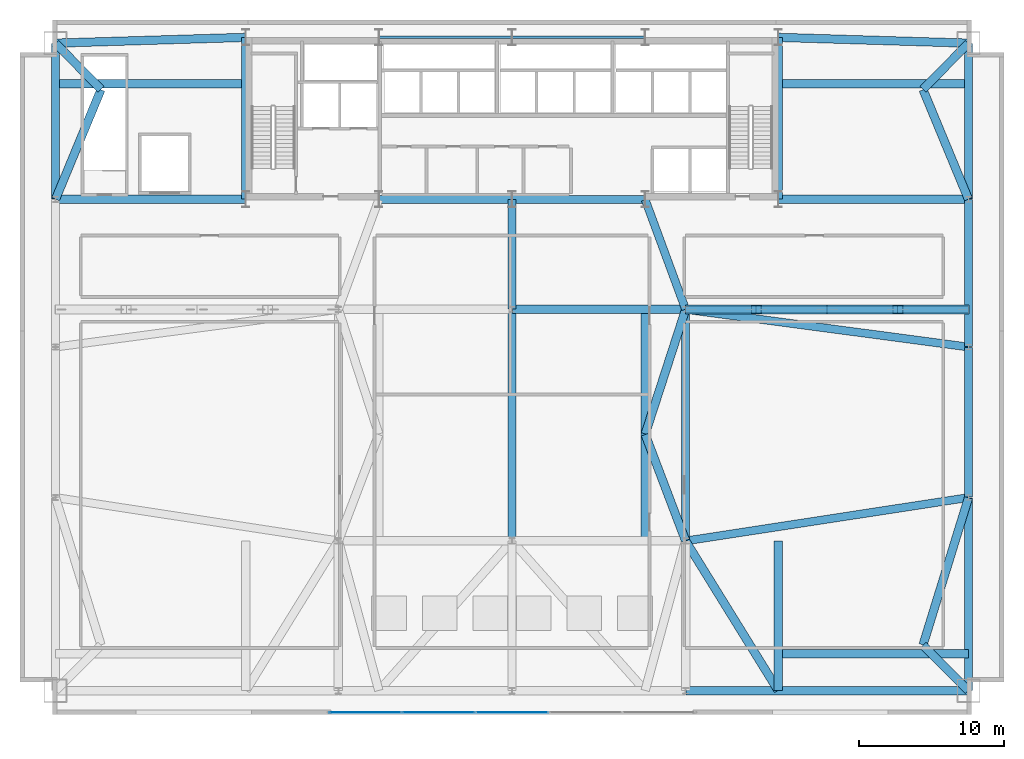
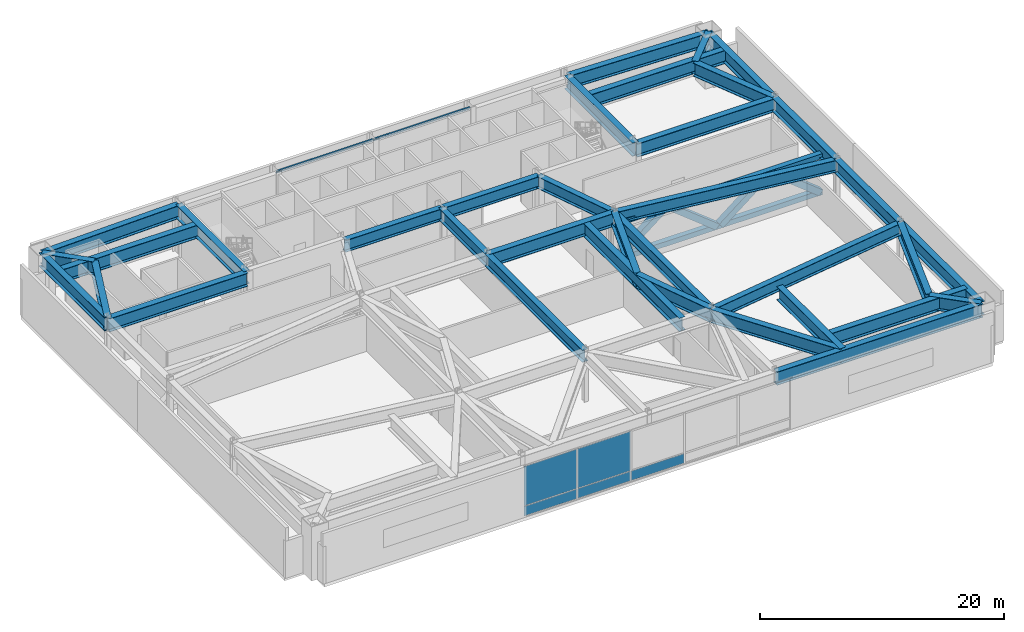
# One storey, part 8 of 16: 37 beams, 6 members, 5 plates, 1 element without a shape of its own.
"""IFC4 building model written with IfcOpenShell, lengths in metres."""

from ifc_helpers import new_model, si_unit, direction, frame, origin, origin_2d, place, context, subcontext, project, spatial, rectangle, hollow_rectangle, i_section, extrude, source, transform, mapped, material, layer, layer_set, material_profile, profile_set, type_object, type_shapes, element, aggregate, save


model = new_model("IFC4")

# Units and contexts
model_context = context("Model", 3, precision=1e-05, world=origin(), true_north=direction((0.0, 1.0)))
body_context = subcontext(model_context, "Body", "Model", "MODEL_VIEW")
ifc_project = project(units=[si_unit("LENGTHUNIT", "METRE"), si_unit("AREAUNIT", "SQUARE_METRE"), si_unit("VOLUMEUNIT", "CUBIC_METRE"), si_unit("PLANEANGLEUNIT", "RADIAN"), si_unit("MASSUNIT", "GRAM", prefix="KILO")], contexts=[model_context])

# Site, building, storey
site_placement = place(None, origin())
site = spatial("IfcSite", under=ifc_project, at=site_placement, CompositionType="ELEMENT")
building_placement = place(site_placement, origin())
building = spatial("IfcBuilding", under=site, at=building_placement, Name="Varnel Quay Broadcast Tower", CompositionType="ELEMENT")
storey_placement = place(building_placement, frame((0.0, 0.0, 22.199951171875)))
storey = spatial("IfcBuildingStorey", under=building, at=storey_placement, Name="L04", CompositionType="ELEMENT", Elevation=22.199951171875)

# Beams
ifc_material_1 = material(Name="Structural Steel CSA G40.21 350W", Category="steel")
ifc_material_profile_1 = material_profile(ifc_material_1, i_section(OverallWidth=0.1650390625, OverallDepth=0.200927734375, WebThickness=0.006103515625, FlangeThickness=0.01025390625, FilletRadius=0.010009765625, at=origin_2d()), Name="W200X36")
ifc_profile_set_1 = profile_set([ifc_material_profile_1], Name="Structural Steel CSA G40.21 350W")
beam_type_1 = type_object("IfcBeamType", Name="Beam_W200X36", PredefinedType="LINTEL", material=ifc_profile_set_1)
shared_shape_1 = source(origin(), body_context, "Body", "SweptSolid", [
    extrude(i_section(OverallWidth=0.1650390625, OverallDepth=0.200927734375, WebThickness=0.006103515625, FlangeThickness=0.01025390625, FilletRadius=0.010009765625, at=origin_2d()), origin(), (0.0, 0.0, 1.0), 9.159912109375),
])
type_shapes(beam_type_1, [shared_shape_1])
for number, where, z_axis, x_axis, name in (
    (1, (24.820068359375, 46.800048828125, 4.9794921875), (1.0, 0.0, 0.0), (0.0, 1.0, 0.0), "L04 Core North Portal Lintel W"),
    (2, (34.02001953125, 46.800048828125, 4.9794921875), (1.0, 0.0, 0.0), (0.0, 1.0, 0.0), "L04 Core North Portal Lintel E"),
):
    element("IfcBeam", number, at=place(storey_placement, frame(where, z_axis=z_axis, x_axis=x_axis)), inside=storey, type_object=beam_type_1, Name=name, PredefinedType="LINTEL", context=body_context, shape_type="MappedRepresentation", body=[
        mapped(shared_shape_1, transform((0.0, 0.0, 0.0), x_axis=(1.0, 0.0, 0.0), y_axis=(0.0, 1.0, 0.0), z_axis=(0.0, 0.0, 1.0), scale=1.0)),
    ])
ifc_material_2 = material(Name="Structural Steel CSA G40.21 350WT", Category="steel")
ifc_material_profile_2 = material_profile(ifc_material_2, i_section(OverallWidth=0.580078125, OverallDepth=1.330078125, WebThickness=0.02197265625, FlangeThickness=0.0380859375, FilletRadius=0.02001953125, at=origin_2d()), Name="WWF1330X535")
ifc_profile_set_2 = profile_set([ifc_material_profile_2], Name="Structural Steel CSA G40.21 350WT")
beam_type_2 = type_object("IfcBeamType", Name="Girder_WWF1330X535", PredefinedType="BEAM", material=ifc_profile_set_2)
shared_shape_2 = source(origin(), body_context, "Body", "SweptSolid", [
    extrude(i_section(OverallWidth=0.580078125, OverallDepth=1.330078125, WebThickness=0.02197265625, FlangeThickness=0.0380859375, FilletRadius=0.02001953125, at=origin_2d()), origin(), (0.0, 0.0, 1.0), 19.510009765625),
])
beam_1_placement = place(storey_placement, frame((46.02001953125, 1.64990234375, 4.4150390625), z_axis=(1.0, 0.0, 0.0), x_axis=(0.0, 1.0, 0.0)))
element("IfcBeam", 3, at=beam_1_placement, inside=storey, type_object=beam_type_2, Name="L04 Primary Transfer Girder TRG-S4", PredefinedType="BEAM", context=body_context, shape_type="MappedRepresentation", body=[
    mapped(shared_shape_2, transform((0.0, 0.0, 0.0), x_axis=(1.0, 0.0, 0.0), y_axis=(0.0, 1.0, 0.0), z_axis=(0.0, 0.0, 1.0), scale=1.0)),
])
shared_shape_3 = source(origin(), body_context, "Body", "SweptSolid", [
    extrude(i_section(OverallWidth=0.580078125, OverallDepth=1.330078125, WebThickness=0.02197265625, FlangeThickness=0.0380859375, FilletRadius=0.02001953125, at=origin_2d()), origin(), (0.0, 0.0, 1.0), 11.9599609375),
])
beam_2_placement = place(storey_placement, frame((34.02001953125, 28.0, 4.4150390625), z_axis=(1.0, 0.0, 0.0), x_axis=(0.0, 1.0, 0.0)))
element("IfcBeam", 4, at=beam_2_placement, inside=storey, type_object=beam_type_2, Name="L04 Primary Transfer Girder TRG-M4", PredefinedType="BEAM", context=body_context, shape_type="MappedRepresentation", body=[
    mapped(shared_shape_3, transform((0.0, 0.0, 0.0), x_axis=(1.0, 0.0, 0.0), y_axis=(0.0, 1.0, 0.0), z_axis=(0.0, 0.0, 1.0), scale=1.0)),
])
shared_shape_4 = source(origin(), body_context, "Body", "SweptSolid", [
    extrude(i_section(OverallWidth=0.580078125, OverallDepth=1.330078125, WebThickness=0.02197265625, FlangeThickness=0.0380859375, FilletRadius=0.02001953125, at=origin_2d()), origin(), (0.0, 0.0, 1.0), 13.31005859375),
])
beam_3_placement = place(storey_placement, frame((65.550048828125, 1.669921875, 4.4150390625), z_axis=(0.0, 1.0, 0.0), x_axis=(-1.0, 0.0, 0.0)))
element("IfcBeam", 5, at=beam_3_placement, inside=storey, type_object=beam_type_2, Name="L04 Primary Transfer Girder TRG-E1", PredefinedType="BEAM", context=body_context, shape_type="MappedRepresentation", body=[
    mapped(shared_shape_4, transform((0.0, 0.0, 0.0), x_axis=(1.0, 0.0, 0.0), y_axis=(0.0, 1.0, 0.0), z_axis=(0.0, 0.0, 1.0), scale=1.0)),
])
shared_shape_5 = source(origin(), body_context, "Body", "SweptSolid", [
    extrude(i_section(OverallWidth=0.580078125, OverallDepth=1.330078125, WebThickness=0.02197265625, FlangeThickness=0.0380859375, FilletRadius=0.02001953125, at=origin_2d()), origin(), (0.0, 0.0, 1.0), 10.35986328125),
])
beam_4_placement = place(storey_placement, frame((65.550048828125, 15.02001953125, 4.4150390625), z_axis=(0.0, 1.0, 0.0), x_axis=(-1.0, 0.0, 0.0)))
element("IfcBeam", 6, at=beam_4_placement, inside=storey, type_object=beam_type_2, Name="L04 Primary Transfer Girder TRG-E2", PredefinedType="BEAM", context=body_context, shape_type="MappedRepresentation", body=[
    mapped(shared_shape_5, transform((0.0, 0.0, 0.0), x_axis=(1.0, 0.0, 0.0), y_axis=(0.0, 1.0, 0.0), z_axis=(0.0, 0.0, 1.0), scale=1.0)),
])
shared_shape_6 = source(origin(), body_context, "Body", "SweptSolid", [
    extrude(i_section(OverallWidth=0.580078125, OverallDepth=1.330078125, WebThickness=0.02197265625, FlangeThickness=0.0380859375, FilletRadius=0.02001953125, at=origin_2d()), origin(), (0.0, 0.0, 1.0), 10.16015625),
])
beam_5_placement = place(storey_placement, frame((65.550048828125, 25.419921875, 4.4150390625), z_axis=(0.0, 1.0, 0.0), x_axis=(-1.0, 0.0, 0.0)))
element("IfcBeam", 7, at=beam_5_placement, inside=storey, type_object=beam_type_2, Name="L04 Primary Transfer Girder TRG-E3", PredefinedType="BEAM", context=body_context, shape_type="MappedRepresentation", body=[
    mapped(shared_shape_6, transform((0.0, 0.0, 0.0), x_axis=(1.0, 0.0, 0.0), y_axis=(0.0, 1.0, 0.0), z_axis=(0.0, 0.0, 1.0), scale=1.0)),
])
shared_shape_7 = source(origin(), body_context, "Body", "SweptSolid", [
    extrude(i_section(OverallWidth=0.580078125, OverallDepth=1.330078125, WebThickness=0.02197265625, FlangeThickness=0.0380859375, FilletRadius=0.02001953125, at=origin_2d()), origin(), (0.0, 0.0, 1.0), 10.759765625),
])
for number, where, z_axis, x_axis, name in (
    (8, (2.449951171875, 35.6201171875, 4.4150390625), (0.0, 1.0, 0.0), (-1.0, 0.0, 0.0), "L04 Primary Transfer Girder TRG-W4"),
    (9, (65.550048828125, 35.6201171875, 4.4150390625), (0.0, 1.0, 0.0), (-1.0, 0.0, 0.0), "L04 Primary Transfer Girder TRG-E4"),
):
    element("IfcBeam", number, at=place(storey_placement, frame(where, z_axis=z_axis, x_axis=x_axis)), inside=storey, type_object=beam_type_2, Name=name, PredefinedType="BEAM", context=body_context, shape_type="MappedRepresentation", body=[
        mapped(shared_shape_7, transform((0.0, 0.0, 0.0), x_axis=(1.0, 0.0, 0.0), y_axis=(0.0, 1.0, 0.0), z_axis=(0.0, 0.0, 1.0), scale=1.0)),
    ])
shared_shape_8 = source(origin(), body_context, "Body", "SweptSolid", [
    extrude(i_section(OverallWidth=0.580078125, OverallDepth=1.330078125, WebThickness=0.02197265625, FlangeThickness=0.0380859375, FilletRadius=0.02001953125, at=origin_2d()), origin(), (0.0, 0.0, 1.0), 13.1162109375),
])
for number, where, z_axis, x_axis, name in (
    (10, (2.469970703125, 46.400634765625, 4.4150390625), (0.999537928818, 0.030396198025, 0.0), (-0.030396198025, 0.999537928818, 0.0), "L04 Primary Transfer Girder TRG-N1"),
    (11, (52.419921875, 46.79931640625, 4.4150390625), (0.999537928818, -0.030396198025, 0.0), (0.030396198025, 0.999537928818, 0.0), "L04 Primary Transfer Girder TRG-N2"),
):
    element("IfcBeam", number, at=place(storey_placement, frame(where, z_axis=z_axis, x_axis=x_axis)), inside=storey, type_object=beam_type_2, Name=name, PredefinedType="BEAM", context=body_context, shape_type="MappedRepresentation", body=[
        mapped(shared_shape_8, transform((0.0, 0.0, 0.0), x_axis=(1.0, 0.0, 0.0), y_axis=(0.0, 1.0, 0.0), z_axis=(0.0, 0.0, 1.0), scale=1.0)),
    ])
shared_shape_9 = source(origin(), body_context, "Body", "SweptSolid", [
    extrude(i_section(OverallWidth=0.580078125, OverallDepth=1.330078125, WebThickness=0.02197265625, FlangeThickness=0.0380859375, FilletRadius=0.02001953125, at=origin_2d()), origin(), (0.0, 0.0, 1.0), 13.110107421875),
])
for number, where, z_axis, x_axis, name in (
    (12, (2.469970703125, 35.60009765625, 4.4150390625), (1.0, 0.0, 0.0), (0.0, 1.0, 0.0), "L04 Primary Transfer Girder TRG-C1"),
    (13, (52.419921875, 35.60009765625, 4.4150390625), (1.0, 0.0, 0.0), (0.0, 1.0, 0.0), "L04 Primary Transfer Girder TRG-C2"),
    (14, (52.419921875, 4.199951171875, 4.4150390625), (1.0, 0.0, 0.0), (0.0, 1.0, 0.0), "L04 Transfer Girder MC-SE"),
    (15, (2.469970703125, 43.60009765625, 4.4150390625), (1.0, 0.0, 0.0), (0.0, 1.0, 0.0), "L04 Transfer Girder MC-NW"),
    (16, (52.419921875, 43.60009765625, 4.4150390625), (1.0, 0.0, 0.0), (0.0, 1.0, 0.0), "L04 Transfer Girder MC-NE"),
):
    element("IfcBeam", number, at=place(storey_placement, frame(where, z_axis=z_axis, x_axis=x_axis)), inside=storey, type_object=beam_type_2, Name=name, PredefinedType="BEAM", context=body_context, shape_type="MappedRepresentation", body=[
        mapped(shared_shape_9, transform((0.0, 0.0, 0.0), x_axis=(1.0, 0.0, 0.0), y_axis=(0.0, 1.0, 0.0), z_axis=(0.0, 0.0, 1.0), scale=1.0)),
    ])
shared_shape_10 = source(origin(), body_context, "Body", "SweptSolid", [
    extrude(i_section(OverallWidth=0.580078125, OverallDepth=1.330078125, WebThickness=0.02197265625, FlangeThickness=0.0380859375, FilletRadius=0.02001953125, at=origin_2d()), origin(), (0.0, 0.0, 1.0), 10.31005859375),
])
beam_6_placement = place(storey_placement, frame((52.39990234375, 1.669921875, 4.4150390625), z_axis=(0.0, 1.0, 0.0), x_axis=(-1.0, 0.0, 0.0)))
element("IfcBeam", 17, at=beam_6_placement, inside=storey, type_object=beam_type_2, Name="L04 Transfer Header X52-S", PredefinedType="BEAM", context=body_context, shape_type="MappedRepresentation", body=[
    mapped(shared_shape_10, transform((0.0, 0.0, 0.0), x_axis=(1.0, 0.0, 0.0), y_axis=(0.0, 1.0, 0.0), z_axis=(0.0, 0.0, 1.0), scale=1.0)),
])
shared_shape_11 = source(origin(), body_context, "Body", "SweptSolid", [
    extrude(i_section(OverallWidth=0.580078125, OverallDepth=1.330078125, WebThickness=0.02197265625, FlangeThickness=0.0380859375, FilletRadius=0.02001953125, at=origin_2d()), origin(), (0.0, 0.0, 1.0), 11.159912109375),
])
for number, where, z_axis, x_axis, name in (
    (18, (15.60009765625, 35.6201171875, 4.4150390625), (0.0, 1.0, 0.0), (-1.0, 0.0, 0.0), "L04 Core End Girder W"),
    (19, (52.39990234375, 35.6201171875, 4.4150390625), (0.0, 1.0, 0.0), (-1.0, 0.0, 0.0), "L04 Core End Girder E"),
):
    element("IfcBeam", number, at=place(storey_placement, frame(where, z_axis=z_axis, x_axis=x_axis)), inside=storey, type_object=beam_type_2, Name=name, PredefinedType="BEAM", context=body_context, shape_type="MappedRepresentation", body=[
        mapped(shared_shape_11, transform((0.0, 0.0, 0.0), x_axis=(1.0, 0.0, 0.0), y_axis=(0.0, 1.0, 0.0), z_axis=(0.0, 0.0, 1.0), scale=1.0)),
    ])
shared_shape_12 = source(origin(), body_context, "Body", "SweptSolid", [
    extrude(i_section(OverallWidth=0.580078125, OverallDepth=1.330078125, WebThickness=0.02197265625, FlangeThickness=0.0380859375, FilletRadius=0.02001953125, at=origin_2d()), origin(), (0.0, 0.0, 1.0), 15.9599609375),
])
beam_7_placement = place(storey_placement, frame((43.199951171875, 12.02001953125, 4.4150390625), z_axis=(0.0, 1.0, 0.0), x_axis=(-1.0, 0.0, 0.0)))
element("IfcBeam", 20, at=beam_7_placement, inside=storey, type_object=beam_type_2, Name="L04 Transfer Girder IC-02", PredefinedType="BEAM", context=body_context, shape_type="MappedRepresentation", body=[
    mapped(shared_shape_12, transform((0.0, 0.0, 0.0), x_axis=(1.0, 0.0, 0.0), y_axis=(0.0, 1.0, 0.0), z_axis=(0.0, 0.0, 1.0), scale=1.0)),
])
shared_shape_13 = source(origin(), body_context, "Body", "SweptSolid", [
    extrude(i_section(OverallWidth=0.580078125, OverallDepth=1.330078125, WebThickness=0.02197265625, FlangeThickness=0.0380859375, FilletRadius=0.02001953125, at=origin_2d()), origin(), (0.0, 0.0, 1.0), 4.4150390625),
])
beam_8_placement = place(storey_placement, frame((65.535888671875, 1.6640625, 4.4150390625), z_axis=(-0.707106781187, 0.707106781187, 0.0), x_axis=(-0.707106781187, -0.707106781187, 0.0)))
element("IfcBeam", 21, at=beam_8_placement, inside=storey, type_object=beam_type_2, Name="L04 Nodal Transfer Tie MC-SE-MC-SE", PredefinedType="BEAM", context=body_context, shape_type="MappedRepresentation", body=[
    mapped(shared_shape_13, transform((0.0, 0.0, 0.0), x_axis=(1.0, 0.0, 0.0), y_axis=(0.0, 1.0, 0.0), z_axis=(0.0, 0.0, 1.0), scale=1.0)),
])
shared_shape_14 = source(origin(), body_context, "Body", "SweptSolid", [
    extrude(i_section(OverallWidth=0.580078125, OverallDepth=1.330078125, WebThickness=0.02197265625, FlangeThickness=0.0380859375, FilletRadius=0.02001953125, at=origin_2d()), origin(), (0.0, 0.0, 1.0), 10.635498046875),
])
beam_9_placement = place(storey_placement, frame((65.544189453125, 14.98095703125, 4.4150390625), z_axis=(-0.295069676324, -0.955475738108, 0.0), x_axis=(0.955475738108, -0.295069676324, 0.0)))
element("IfcBeam", 22, at=beam_9_placement, inside=storey, type_object=beam_type_2, Name="L04 Nodal Transfer Tie MC-SE-PC-12", PredefinedType="BEAM", context=body_context, shape_type="MappedRepresentation", body=[
    mapped(shared_shape_14, transform((0.0, 0.0, 0.0), x_axis=(1.0, 0.0, 0.0), y_axis=(0.0, 1.0, 0.0), z_axis=(0.0, 0.0, 1.0), scale=1.0)),
])
shared_shape_15 = source(origin(), body_context, "Body", "SweptSolid", [
    extrude(i_section(OverallWidth=0.580078125, OverallDepth=1.330078125, WebThickness=0.02197265625, FlangeThickness=0.0380859375, FilletRadius=0.02001953125, at=origin_2d()), origin(), (0.0, 0.0, 1.0), 4.4501953125),
])
for number, where, z_axis, x_axis, name in (
    (23, (65.535888671875, 46.3857421875, 4.4150390625), (-0.701516393801, -0.712653316296, 0.0), (0.712653316296, -0.701516393801, 0.0), "L04 Nodal Transfer Tie MC-NE-MC-NE"),
    (24, (2.464111328125, 46.3857421875, 4.4150390625), (0.701516393801, -0.712653316296, 0.0), (0.712653316296, 0.701516393801, 0.0), "L04 Nodal Transfer Tie MC-NW-MC-NW"),
):
    element("IfcBeam", number, at=place(storey_placement, frame(where, z_axis=z_axis, x_axis=x_axis)), inside=storey, type_object=beam_type_2, Name=name, PredefinedType="BEAM", context=body_context, shape_type="MappedRepresentation", body=[
        mapped(shared_shape_15, transform((0.0, 0.0, 0.0), x_axis=(1.0, 0.0, 0.0), y_axis=(0.0, 1.0, 0.0), z_axis=(0.0, 0.0, 1.0), scale=1.0)),
    ])
shared_shape_16 = source(origin(), body_context, "Body", "SweptSolid", [
    extrude(i_section(OverallWidth=0.580078125, OverallDepth=1.330078125, WebThickness=0.02197265625, FlangeThickness=0.0380859375, FilletRadius=0.02001953125, at=origin_2d()), origin(), (0.0, 0.0, 1.0), 8.186767578125),
])
for number, where, z_axis, x_axis, name in (
    (25, (65.542236328125, 35.618408203125, 4.4150390625), (-0.382874132092, 0.923800519038, 0.0), (-0.923800519038, -0.382874132092, 0.0), "L04 Nodal Transfer Tie MC-NE-PC-14"),
    (26, (2.457763671875, 35.618408203125, 4.4150390625), (0.382874132092, 0.923800519038, 0.0), (-0.923800519038, 0.382874132092, 0.0), "L04 Nodal Transfer Tie MC-NW-PC-11"),
):
    element("IfcBeam", number, at=place(storey_placement, frame(where, z_axis=z_axis, x_axis=x_axis)), inside=storey, type_object=beam_type_2, Name=name, PredefinedType="BEAM", context=body_context, shape_type="MappedRepresentation", body=[
        mapped(shared_shape_16, transform((0.0, 0.0, 0.0), x_axis=(1.0, 0.0, 0.0), y_axis=(0.0, 1.0, 0.0), z_axis=(0.0, 0.0, 1.0), scale=1.0)),
    ])
shared_shape_17 = source(origin(), body_context, "Body", "SweptSolid", [
    extrude(i_section(OverallWidth=0.580078125, OverallDepth=1.330078125, WebThickness=0.02197265625, FlangeThickness=0.0380859375, FilletRadius=0.02001953125, at=origin_2d()), origin(), (0.0, 0.0, 1.0), 12.12890625),
])
beam_10_placement = place(storey_placement, frame((46.010498046875, 11.98291015625, 4.4150390625), z_axis=(0.52592906902, -0.850528432423, 0.0), x_axis=(0.850528432423, 0.52592906902, 0.0)))
element("IfcBeam", 27, at=beam_10_placement, inside=storey, type_object=beam_type_2, Name="L04 Nodal Transfer Tie TC-S5-PC-05", PredefinedType="BEAM", context=body_context, shape_type="MappedRepresentation", body=[
    mapped(shared_shape_17, transform((0.0, 0.0, 0.0), x_axis=(1.0, 0.0, 0.0), y_axis=(0.0, 1.0, 0.0), z_axis=(0.0, 0.0, 1.0), scale=1.0)),
])
shared_shape_18 = source(origin(), body_context, "Body", "SweptSolid", [
    extrude(i_section(OverallWidth=0.580078125, OverallDepth=1.330078125, WebThickness=0.02197265625, FlangeThickness=0.0380859375, FilletRadius=0.02001953125, at=origin_2d()), origin(), (0.0, 0.0, 1.0), 7.843994140625),
])
beam_11_placement = place(storey_placement, frame((45.992919921875, 12.018798828125, 4.4150390625), z_axis=(-0.355165540835, 0.934803422439, 0.0), x_axis=(-0.934803422439, -0.355165540835, 0.0)))
element("IfcBeam", 28, at=beam_11_placement, inside=storey, type_object=beam_type_2, Name="L04 Nodal Transfer Tie IC-02-PC-05", PredefinedType="BEAM", context=body_context, shape_type="MappedRepresentation", body=[
    mapped(shared_shape_18, transform((0.0, 0.0, 0.0), x_axis=(1.0, 0.0, 0.0), y_axis=(0.0, 1.0, 0.0), z_axis=(0.0, 0.0, 1.0), scale=1.0)),
])
shared_shape_19 = source(origin(), body_context, "Body", "SweptSolid", [
    extrude(i_section(OverallWidth=0.580078125, OverallDepth=1.330078125, WebThickness=0.02197265625, FlangeThickness=0.0380859375, FilletRadius=0.02001953125, at=origin_2d()), origin(), (0.0, 0.0, 1.0), 9.032958984375),
])
type_shapes(beam_type_2, [shared_shape_2, shared_shape_3, shared_shape_4, shared_shape_5, shared_shape_6, shared_shape_7, shared_shape_8, shared_shape_9, shared_shape_10, shared_shape_11, shared_shape_12, shared_shape_13, shared_shape_14, shared_shape_15, shared_shape_16, shared_shape_17, shared_shape_18, shared_shape_19])
beam_12_placement = place(storey_placement, frame((45.993896484375, 27.98095703125, 4.4150390625), z_axis=(-0.308603840112, -0.951190659052, 0.0), x_axis=(0.951190659052, -0.308603840112, 0.0)))
element("IfcBeam", 29, at=beam_12_placement, inside=storey, type_object=beam_type_2, Name="L04 Nodal Transfer Tie IC-02-PC-08", PredefinedType="BEAM", context=body_context, shape_type="MappedRepresentation", body=[
    mapped(shared_shape_19, transform((0.0, 0.0, 0.0), x_axis=(1.0, 0.0, 0.0), y_axis=(0.0, 1.0, 0.0), z_axis=(0.0, 0.0, 1.0), scale=1.0)),
])
ifc_material_profile_3 = material_profile(ifc_material_2, i_section(OverallWidth=0.550048828125, OverallDepth=1.199951171875, WebThickness=0.02001953125, FlangeThickness=0.034912109375, FilletRadius=0.02001953125, at=origin_2d()), Name="WWF1200X487")
ifc_profile_set_3 = profile_set([ifc_material_profile_3], Name="Structural Steel CSA G40.21 350WT")
beam_type_3 = type_object("IfcBeamType", Name="Girder_WWF1200X487", PredefinedType="BEAM", material=ifc_profile_set_3)
shared_shape_20 = source(origin(), body_context, "Body", "SweptSolid", [
    extrude(i_section(OverallWidth=0.550048828125, OverallDepth=1.199951171875, WebThickness=0.02001953125, FlangeThickness=0.034912109375, FilletRadius=0.02001953125, at=origin_2d()), origin(), (0.0, 0.0, 1.0), 19.739013671875),
])
beam_13_placement = place(storey_placement, frame((46.019775390625, 12.0029296875, 4.47998046875), z_axis=(0.988428537819, 0.151687262564, 0.0), x_axis=(-0.151687262564, 0.988428537819, 0.0)))
element("IfcBeam", 30, at=beam_13_placement, inside=storey, type_object=beam_type_3, Name="L04 Girder G-STB1", PredefinedType="BEAM", context=body_context, shape_type="MappedRepresentation", body=[
    mapped(shared_shape_20, transform((0.0, 0.0, 0.0), x_axis=(1.0, 0.0, 0.0), y_axis=(0.0, 1.0, 0.0), z_axis=(0.0, 0.0, 1.0), scale=1.0)),
])
shared_shape_21 = source(origin(), body_context, "Body", "SweptSolid", [
    extrude(i_section(OverallWidth=0.550048828125, OverallDepth=1.199951171875, WebThickness=0.02001953125, FlangeThickness=0.034912109375, FilletRadius=0.02001953125, at=origin_2d()), origin(), (0.0, 0.0, 1.0), 19.682373046875),
])
beam_14_placement = place(storey_placement, frame((46.019775390625, 27.997314453125, 4.47998046875), z_axis=(0.991272261072, -0.131830589885, 0.0), x_axis=(0.131830589885, 0.991272261072, 0.0)))
element("IfcBeam", 31, at=beam_14_placement, inside=storey, type_object=beam_type_3, Name="L04 Girder G-STB2", PredefinedType="BEAM", context=body_context, shape_type="MappedRepresentation", body=[
    mapped(shared_shape_21, transform((0.0, 0.0, 0.0), x_axis=(1.0, 0.0, 0.0), y_axis=(0.0, 1.0, 0.0), z_axis=(0.0, 0.0, 1.0), scale=1.0)),
])
shared_shape_22 = source(origin(), body_context, "Body", "SweptSolid", [
    extrude(i_section(OverallWidth=0.550048828125, OverallDepth=1.199951171875, WebThickness=0.02001953125, FlangeThickness=0.034912109375, FilletRadius=0.02001953125, at=origin_2d()), origin(), (0.0, 0.0, 1.0), 15.9599609375),
])
for number, where, z_axis, x_axis, name in (
    (32, (34.0, 12.02001953125, 4.47998046875), (0.0, 1.0, 0.0), (-1.0, 0.0, 0.0), "L04 Girder G-M2C"),
    (33, (46.0, 12.02001953125, 4.47998046875), (0.0, 1.0, 0.0), (-1.0, 0.0, 0.0), "L04 Girder G-M4"),
):
    element("IfcBeam", number, at=place(storey_placement, frame(where, z_axis=z_axis, x_axis=x_axis)), inside=storey, type_object=beam_type_3, Name=name, PredefinedType="BEAM", context=body_context, shape_type="MappedRepresentation", body=[
        mapped(shared_shape_22, transform((0.0, 0.0, 0.0), x_axis=(1.0, 0.0, 0.0), y_axis=(0.0, 1.0, 0.0), z_axis=(0.0, 0.0, 1.0), scale=1.0)),
    ])
shared_shape_23 = source(origin(), body_context, "Body", "SweptSolid", [
    extrude(i_section(OverallWidth=0.550048828125, OverallDepth=1.199951171875, WebThickness=0.02001953125, FlangeThickness=0.034912109375, FilletRadius=0.02001953125, at=origin_2d()), origin(), (0.0, 0.0, 1.0), 8.0595703125),
])
beam_15_placement = place(storey_placement, frame((45.9931640625, 28.018798828125, 4.47998046875), z_axis=(-0.345726415607, 0.938335358788, 0.0), x_axis=(-0.938335358788, -0.345726415607, 0.0)))
element("IfcBeam", 34, at=beam_15_placement, inside=storey, type_object=beam_type_3, Name="L04 Girder G-C3", PredefinedType="BEAM", context=body_context, shape_type="MappedRepresentation", body=[
    mapped(shared_shape_23, transform((0.0, 0.0, 0.0), x_axis=(1.0, 0.0, 0.0), y_axis=(0.0, 1.0, 0.0), z_axis=(0.0, 0.0, 1.0), scale=1.0)),
])
shared_shape_24 = source(origin(), body_context, "Body", "SweptSolid", [
    extrude(i_section(OverallWidth=0.550048828125, OverallDepth=1.199951171875, WebThickness=0.02001953125, FlangeThickness=0.034912109375, FilletRadius=0.02001953125, at=origin_2d()), origin(), (0.0, 0.0, 1.0), 7.56005859375),
])
beam_16_placement = place(storey_placement, frame((34.0, 28.02001953125, 4.47998046875), z_axis=(0.0, 1.0, 0.0), x_axis=(-1.0, 0.0, 0.0)))
element("IfcBeam", 35, at=beam_16_placement, inside=storey, type_object=beam_type_3, Name="L04 Girder G-C2", PredefinedType="BEAM", context=body_context, shape_type="MappedRepresentation", body=[
    mapped(shared_shape_24, transform((0.0, 0.0, 0.0), x_axis=(1.0, 0.0, 0.0), y_axis=(0.0, 1.0, 0.0), z_axis=(0.0, 0.0, 1.0), scale=1.0)),
])
shared_shape_25 = source(origin(), body_context, "Body", "SweptSolid", [
    extrude(i_section(OverallWidth=0.550048828125, OverallDepth=1.199951171875, WebThickness=0.02001953125, FlangeThickness=0.034912109375, FilletRadius=0.02001953125, at=origin_2d()), origin(), (0.0, 0.0, 1.0), 9.159912109375),
])
type_shapes(beam_type_3, [shared_shape_20, shared_shape_21, shared_shape_22, shared_shape_23, shared_shape_24, shared_shape_25])
for number, where, z_axis, x_axis, name in (
    (36, (24.820068359375, 35.60009765625, 4.47998046875), (1.0, 0.0, 0.0), (0.0, 1.0, 0.0), "L04 Girder G-CS1"),
    (37, (34.02001953125, 35.60009765625, 4.47998046875), (1.0, 0.0, 0.0), (0.0, 1.0, 0.0), "L04 Girder G-CS2"),
):
    element("IfcBeam", number, at=place(storey_placement, frame(where, z_axis=z_axis, x_axis=x_axis)), inside=storey, type_object=beam_type_3, Name=name, PredefinedType="BEAM", context=body_context, shape_type="MappedRepresentation", body=[
        mapped(shared_shape_25, transform((0.0, 0.0, 0.0), x_axis=(1.0, 0.0, 0.0), y_axis=(0.0, 1.0, 0.0), z_axis=(0.0, 0.0, 1.0), scale=1.0)),
    ])

# Members
ifc_material_profile_4 = material_profile(ifc_material_2, hollow_rectangle(XDim=0.5, YDim=0.5, WallThickness=0.02490234375, at=origin_2d()), Name="BOX500X500X25")
ifc_profile_set_4 = profile_set([ifc_material_profile_4], Name="Structural Steel CSA G40.21 350WT")
member_type_1 = type_object("IfcMemberType", Name="Chord_BOX500X500X25", PredefinedType="CHORD", material=ifc_profile_set_4)
shared_shape_26 = source(origin(), body_context, "Body", "SweptSolid", [
    extrude(hollow_rectangle(XDim=0.5, YDim=0.5, WallThickness=0.02490234375, at=origin_2d()), origin(), (0.0, 0.0, 1.0), 19.550048828125),
])
type_shapes(member_type_1, [shared_shape_26])
for number, where, z_axis, x_axis, name in (
    (38, (46.0, 28.0, 0.25), (1.0, 0.0, 0.0), (0.0, 1.0, 0.0), "L04 Warren Transfer Bottom Chord 2"),
    (39, (46.0, 28.0, 3.860107421875), (1.0, 0.0, 0.0), (0.0, 1.0, 0.0), "L04 Warren Transfer Top Chord 2"),
):
    element("IfcMember", number, at=place(storey_placement, frame(where, z_axis=z_axis, x_axis=x_axis)), inside=storey, type_object=member_type_1, Name=name, PredefinedType="CHORD", context=body_context, shape_type="MappedRepresentation", body=[
        mapped(shared_shape_26, transform((0.0, 0.0, 0.0), x_axis=(1.0, 0.0, 0.0), y_axis=(0.0, 1.0, 0.0), z_axis=(0.0, 0.0, 1.0), scale=1.0)),
    ])
ifc_material_profile_5 = material_profile(ifc_material_2, hollow_rectangle(XDim=0.60009765625, YDim=0.60009765625, WallThickness=0.028076171875, at=origin_2d()), Name="BOX600X600X28")
ifc_profile_set_5 = profile_set([ifc_material_profile_5], Name="Structural Steel CSA G40.21 350WT")
member_type_2 = type_object("IfcMemberType", Name="WarrenDiag_BOX600X600X28", PredefinedType="BRACE", material=ifc_profile_set_5)
shared_shape_27 = source(origin(), body_context, "Body", "SweptSolid", [
    extrude(hollow_rectangle(XDim=0.60009765625, YDim=0.60009765625, WallThickness=0.028076171875, at=origin_2d()), origin(), (0.0, 0.0, 1.0), 5.82177734375),
])
for number, where, z_axis, x_axis, name in (
    (40, (51.047607421875, 28.0, 3.860107421875), (0.784525183208, 0.0, -0.62009695767), (0.0, 1.0, 0.0), "L04 Warren Transfer Diagonal 2.2"),
    (41, (55.93505859375, 28.0, 0.25), (0.784525183208, 0.0, 0.62009695767), (0.0, 1.0, 0.0), "L04 Warren Transfer Diagonal 2.3"),
    (42, (60.822509765625, 28.0, 3.860107421875), (0.784525183208, 0.0, -0.62009695767), (0.0, 1.0, 0.0), "L04 Warren Transfer Diagonal 2.4"),
):
    element("IfcMember", number, at=place(storey_placement, frame(where, z_axis=z_axis, x_axis=x_axis)), inside=storey, type_object=member_type_2, Name=name, PredefinedType="BRACE", context=body_context, shape_type="MappedRepresentation", body=[
        mapped(shared_shape_27, transform((0.0, 0.0, 0.0), x_axis=(1.0, 0.0, 0.0), y_axis=(0.0, 1.0, 0.0), z_axis=(0.0, 0.0, 1.0), scale=1.0)),
    ])
shared_shape_28 = source(origin(), body_context, "Body", "SweptSolid", [
    extrude(hollow_rectangle(XDim=0.60009765625, YDim=0.60009765625, WallThickness=0.028076171875, at=origin_2d()), origin(), (0.0, 0.0, 1.0), 5.822021484375),
])
type_shapes(member_type_2, [shared_shape_27, shared_shape_28])
member_placement = place(storey_placement, frame((46.159912109375, 28.0, 0.25), z_axis=(0.784541307376, 0.0, 0.620076557387), x_axis=(0.0, 1.0, 0.0)))
element("IfcMember", 43, at=member_placement, inside=storey, type_object=member_type_2, Name="L04 Warren Transfer Diagonal 2.1", PredefinedType="BRACE", context=body_context, shape_type="MappedRepresentation", body=[
    mapped(shared_shape_28, transform((0.0, 0.0, 0.0), x_axis=(1.0, 0.0, 0.0), y_axis=(0.0, 1.0, 0.0), z_axis=(0.0, 0.0, 1.0), scale=1.0)),
])

# Curtain wall, plates
ifc_material_3 = material(Name="Anodised Bronze Aluminium 6063-T6", Category="aluminium")
ifc_layer_1 = layer(ifc_material_3, 0.18994140625, Name="Anodised Bronze Aluminium 6063-T6")
ifc_layer_set_1 = layer_set([ifc_layer_1], Name="Anodised Bronze Aluminium 6063-T6")
curtain_wall_type = type_object("IfcCurtainWallType", Name="CW_PodiumForum", PredefinedType="NOTDEFINED", material=ifc_layer_set_1)
curtain_wall_placement = place(storey_placement, origin())
curtain_wall = element("IfcCurtainWall", 44, at=curtain_wall_placement, inside=storey, type_object=curtain_wall_type, Name="L04 Waterfront Forum Curtain Wall", PredefinedType="NOTDEFINED")
ifc_material_4 = material(Name="Triple-Glazed Clear High-Vision Low-E Glass", Category="glass")
ifc_layer_2 = layer(ifc_material_4, 0.035888671875, Name="Triple-Glazed Clear High-Vision Low-E Glass")
ifc_layer_set_2 = layer_set([ifc_layer_2], Name="Triple-Glazed Clear High-Vision Low-E Glass")
plate_type = type_object("IfcPlateType", Name="Panel_CWS-01", PredefinedType="CURTAIN_PANEL", material=ifc_layer_set_2)
shared_shape_29 = source(origin(), body_context, "Body", "SweptSolid", [
    extrude(rectangle(XDim=4.967529296875, YDim=0.035888671875, at=origin_2d()), origin(), (0.0, 0.0, 1.0), 0.952392578125),
])
plate_1_placement = place(storey_placement, frame((23.858642578125, 0.14990234375, 0.06494140625), z_axis=(0.0, 0.0, 1.0), x_axis=(1.0, 0.0, 0.0)))
plate_1 = element("IfcPlate", 45, at=plate_1_placement, type_object=plate_type, Name="CWS-01 panel 1.1", PredefinedType="CURTAIN_PANEL", context=body_context, shape_type="MappedRepresentation", body=[
    mapped(shared_shape_29, transform((0.0, 0.0, 0.0), x_axis=(1.0, 0.0, 0.0), y_axis=(0.0, 1.0, 0.0), z_axis=(0.0, 0.0, 1.0), scale=1.0)),
])
shared_shape_30 = source(origin(), body_context, "Body", "SweptSolid", [
    extrude(rectangle(XDim=5.0048828125, YDim=0.035888671875, at=origin_2d()), origin(), (0.0, 0.0, 1.0), 0.952392578125),
])
plate_2_placement = place(storey_placement, frame((28.919921875, 0.14990234375, 0.06494140625), z_axis=(0.0, 0.0, 1.0), x_axis=(1.0, 0.0, 0.0)))
plate_2 = element("IfcPlate", 46, at=plate_2_placement, type_object=plate_type, Name="CWS-01 panel 2.1", PredefinedType="CURTAIN_PANEL", context=body_context, shape_type="MappedRepresentation", body=[
    mapped(shared_shape_30, transform((0.0, 0.0, 0.0), x_axis=(1.0, 0.0, 0.0), y_axis=(0.0, 1.0, 0.0), z_axis=(0.0, 0.0, 1.0), scale=1.0)),
])
plate_3_placement = place(storey_placement, frame((34.0, 0.14990234375, 0.06494140625), z_axis=(0.0, 0.0, 1.0), x_axis=(1.0, 0.0, 0.0)))
plate_3 = element("IfcPlate", 47, at=plate_3_placement, type_object=plate_type, Name="CWS-01 panel 3.1", PredefinedType="CURTAIN_PANEL", context=body_context, shape_type="MappedRepresentation", body=[
    mapped(shared_shape_30, transform((0.0, 0.0, 0.0), x_axis=(1.0, 0.0, 0.0), y_axis=(0.0, 1.0, 0.0), z_axis=(0.0, 0.0, 1.0), scale=1.0)),
])
shared_shape_31 = source(origin(), body_context, "Body", "SweptSolid", [
    extrude(rectangle(XDim=4.967529296875, YDim=0.035888671875, at=origin_2d()), origin(), (0.0, 0.0, 1.0), 3.9326171875),
])
plate_4_placement = place(storey_placement, frame((23.858642578125, 0.14990234375, 1.08251953125), z_axis=(0.0, 0.0, 1.0), x_axis=(1.0, 0.0, 0.0)))
plate_4 = element("IfcPlate", 48, at=plate_4_placement, type_object=plate_type, Name="CWS-01 panel 1.2", PredefinedType="CURTAIN_PANEL", context=body_context, shape_type="MappedRepresentation", body=[
    mapped(shared_shape_31, transform((0.0, 0.0, 0.0), x_axis=(1.0, 0.0, 0.0), y_axis=(0.0, 1.0, 0.0), z_axis=(0.0, 0.0, 1.0), scale=1.0)),
])
shared_shape_32 = source(origin(), body_context, "Body", "SweptSolid", [
    extrude(rectangle(XDim=5.0048828125, YDim=0.035888671875, at=origin_2d()), origin(), (0.0, 0.0, 1.0), 3.9326171875),
])
type_shapes(plate_type, [shared_shape_29, shared_shape_30, shared_shape_31, shared_shape_32])
plate_5_placement = place(storey_placement, frame((28.919921875, 0.14990234375, 1.08251953125), z_axis=(0.0, 0.0, 1.0), x_axis=(1.0, 0.0, 0.0)))
plate_5 = element("IfcPlate", 49, at=plate_5_placement, type_object=plate_type, Name="CWS-01 panel 2.2", PredefinedType="CURTAIN_PANEL", context=body_context, shape_type="MappedRepresentation", body=[
    mapped(shared_shape_32, transform((0.0, 0.0, 0.0), x_axis=(1.0, 0.0, 0.0), y_axis=(0.0, 1.0, 0.0), z_axis=(0.0, 0.0, 1.0), scale=1.0)),
])
aggregate(curtain_wall, [plate_1, plate_4, plate_2, plate_5, plate_3])

save(model, "model.ifc")
